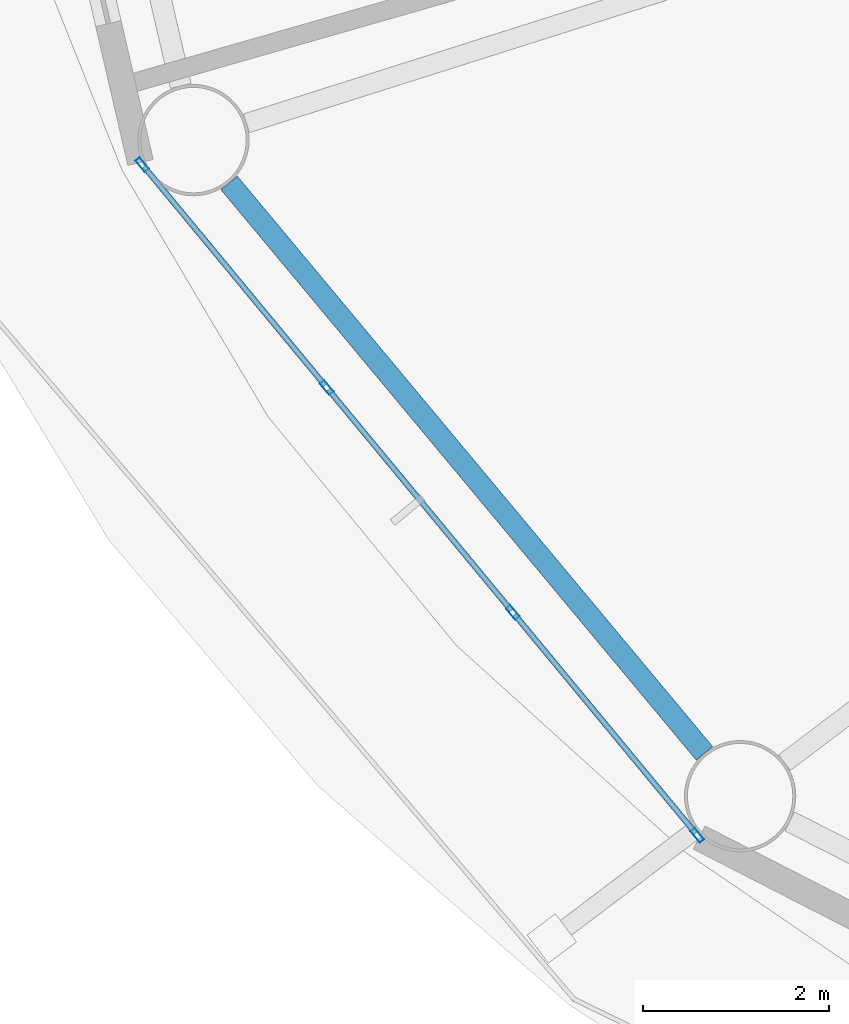
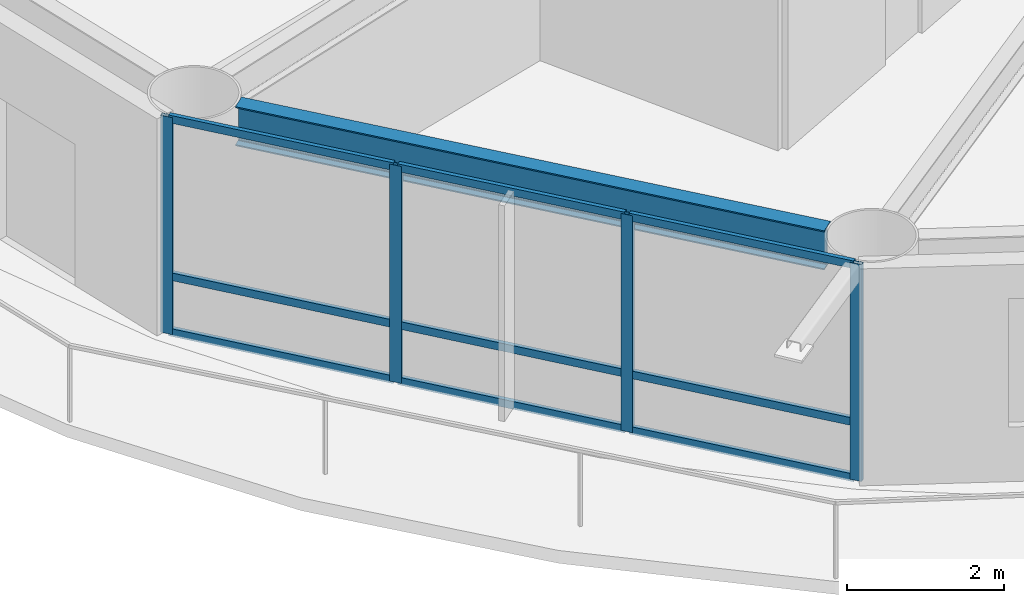
# One storey, part 2 of 24: 13 members, 1 beam, 1 element without a shape of its own.
"""IFC4 building model written with IfcOpenShell, lengths in metres."""

from ifc_helpers import new_model, si_unit, direction, frame, origin, origin_2d, place, context, subcontext, project, spatial, hollow_rectangle, i_section, extrude, material, layer, layer_set, material_profile, profile_set, type_object, element, aggregate, save


model = new_model("IFC4")

# Units and contexts
model_context = context("Model", 3, precision=1e-05, world=origin(), true_north=direction((0.0, 1.0)))
body_context = subcontext(model_context, "Body", "Model", "MODEL_VIEW")
ifc_project = project(units=[si_unit("LENGTHUNIT", "METRE"), si_unit("AREAUNIT", "SQUARE_METRE"), si_unit("VOLUMEUNIT", "CUBIC_METRE"), si_unit("PLANEANGLEUNIT", "RADIAN"), si_unit("MASSUNIT", "GRAM", prefix="KILO")], contexts=[model_context])

# Site, building, storey
site_placement = place(None, origin())
site = spatial("IfcSite", under=ifc_project, at=site_placement, CompositionType="ELEMENT")
building_placement = place(site_placement, origin())
building = spatial("IfcBuilding", under=site, at=building_placement, Name="Sarneth Arch Tower", CompositionType="ELEMENT")
storey_placement = place(building_placement, frame((0.0, 0.0, 94.800048828125)))
storey = spatial("IfcBuildingStorey", under=building, at=storey_placement, Name="L23", CompositionType="ELEMENT", Elevation=94.800048828125)

# Beam
ifc_material_1 = material(Name="Steel S355", Category="steel")
ifc_material_profile_1 = material_profile(ifc_material_1, i_section(OverallWidth=0.22900390625, OverallDepth=0.612060546875, WebThickness=0.011962890625, FlangeThickness=0.01953125, FilletRadius=0.01904296875, at=origin_2d()), Name="W610x125")
ifc_profile_set_1 = profile_set([ifc_material_profile_1], Name="Steel S355")
beam_type = type_object("IfcBeamType", Name="BM-SPAN-610C", PredefinedType="SPANDREL", material=ifc_profile_set_1)
beam_placement = place(storey_placement, frame((22.093017578125, 33.196533203125, 3.073974609375), z_axis=(0.640163403463, -0.768238775946, 0.0), x_axis=(0.768238775946, 0.640163403463, 0.0)))
element("IfcBeam", 1, at=beam_placement, inside=storey, type_object=beam_type, Name="L23 Perimeter spandrel beam 10", PredefinedType="SPANDREL", context=body_context, shape_type="SweptSolid", body=[
    extrude(i_section(OverallWidth=0.22900390625, OverallDepth=0.612060546875, WebThickness=0.011962890625, FlangeThickness=0.01953125, FilletRadius=0.01904296875, at=origin_2d()), origin(), (0.0, 0.0, 1.0), 8.006103515625),
])

# Curtain wall, members
ifc_material_2 = material(Name="Anodised aluminium Type AA25 and solar-control low-e laminated IGU", Category="aluminium")
ifc_layer = layer(ifc_material_2, 0.159912109375)
ifc_layer_set = layer_set([ifc_layer], Name="Anodised aluminium Type AA25 and solar-control low-e laminated IGU")
curtain_wall_type = type_object("IfcCurtainWallType", Name="CW-HOTEL-MID", PredefinedType="NOTDEFINED", material=ifc_layer_set)
curtain_wall_placement = place(storey_placement, origin())
curtain_wall = element("IfcCurtainWall", 2, at=curtain_wall_placement, inside=storey, type_object=curtain_wall_type, Name="L23 Unitised curtain wall facet 10", PredefinedType="NOTDEFINED")
ifc_material_3 = material(Name="Anodised Aluminium 6063-T6", Category="aluminium")
ifc_material_profile_2 = material_profile(ifc_material_3, hollow_rectangle(XDim=0.06005859375, YDim=0.159912109375, WallThickness=0.00390625, at=origin_2d()), Name="AL-MULL-160x60x4")
ifc_profile_set_2 = profile_set([ifc_material_profile_2], Name="Anodised Aluminium 6063-T6")
member_type_1 = type_object("IfcMemberType", Name="CW-MULLION", PredefinedType="MULLION", material=ifc_profile_set_2)
member_1_placement = place(storey_placement, frame((21.15771484375, 33.393310546875, 0.0), z_axis=(0.0, 0.0, 1.0), x_axis=(0.770437787363, 0.637515188684, 0.0)))
member_1 = element("IfcMember", 3, at=member_1_placement, type_object=member_type_1, Name="CW-SYS-4 mullion 1", PredefinedType="MULLION", context=body_context, shape_type="SweptSolid", body=[
    extrude(hollow_rectangle(XDim=0.06005859375, YDim=0.159912109375, WallThickness=0.00390625, at=origin_2d()), origin(), (0.0, 0.0, 1.0), 3.3798828125),
])
member_2_placement = place(storey_placement, frame((23.145751953125, 30.99072265625, 0.0), z_axis=(0.0, 0.0, 1.0), x_axis=(0.770437787363, 0.637515188684, 0.0)))
member_2 = element("IfcMember", 4, at=member_2_placement, type_object=member_type_1, Name="CW-SYS-4 mullion 2", PredefinedType="MULLION", context=body_context, shape_type="SweptSolid", body=[
    extrude(hollow_rectangle(XDim=0.06005859375, YDim=0.159912109375, WallThickness=0.00390625, at=origin_2d()), origin(), (0.0, 0.0, 1.0), 3.3798828125),
])
member_3_placement = place(storey_placement, frame((25.15283203125, 28.565185546875, 0.0), z_axis=(0.0, 0.0, 1.0), x_axis=(0.770437787363, 0.637515188684, 0.0)))
member_3 = element("IfcMember", 5, at=member_3_placement, type_object=member_type_1, Name="CW-SYS-4 mullion 3", PredefinedType="MULLION", context=body_context, shape_type="SweptSolid", body=[
    extrude(hollow_rectangle(XDim=0.06005859375, YDim=0.159912109375, WallThickness=0.00390625, at=origin_2d()), origin(), (0.0, 0.0, 1.0), 3.3798828125),
])
member_4_placement = place(storey_placement, frame((27.140869140625, 26.16259765625, 0.0), z_axis=(0.0, 0.0, 1.0), x_axis=(0.770437787363, 0.637515188684, 0.0)))
member_4 = element("IfcMember", 6, at=member_4_placement, type_object=member_type_1, Name="CW-SYS-4 mullion 4", PredefinedType="MULLION", context=body_context, shape_type="SweptSolid", body=[
    extrude(hollow_rectangle(XDim=0.06005859375, YDim=0.159912109375, WallThickness=0.00390625, at=origin_2d()), origin(), (0.0, 0.0, 1.0), 3.3798828125),
])
ifc_material_4 = material(Name="Anodised Aluminium 6063-T6", Category="aluminium")
ifc_material_profile_3 = material_profile(ifc_material_4, hollow_rectangle(XDim=0.06005859375, YDim=0.1201171875, WallThickness=0.00390625, at=origin_2d()), Name="AL-TRAN-120x60x4")
ifc_profile_set_3 = profile_set([ifc_material_profile_3], Name="Anodised Aluminium 6063-T6")
member_type_2 = type_object("IfcMemberType", Name="CW-TRANSOM", PredefinedType="USERDEFINED", material=ifc_profile_set_3)
member_5_placement = place(storey_placement, frame((21.1767578125, 33.3701171875, 0.030029296875), z_axis=(0.637566080343, -0.770395673142, 0.0), x_axis=(0.770395673142, 0.637566080343, 0.0)))
member_5 = element("IfcMember", 7, at=member_5_placement, type_object=member_type_2, Name="CW-SYS-4 transom 1.1", ObjectType="TRANSOM", PredefinedType="USERDEFINED", context=body_context, shape_type="SweptSolid", body=[
    extrude(hollow_rectangle(XDim=0.06005859375, YDim=0.1201171875, WallThickness=0.00390625, at=origin_2d()), origin(), (0.0, 0.0, 1.0), 3.058349609375),
])
member_6_placement = place(storey_placement, frame((21.1767578125, 33.3701171875, 0.89990234375), z_axis=(0.637566080343, -0.770395673142, 0.0), x_axis=(0.770395673142, 0.637566080343, 0.0)))
member_6 = element("IfcMember", 8, at=member_6_placement, type_object=member_type_2, Name="CW-SYS-4 transom 1.2", ObjectType="TRANSOM", PredefinedType="USERDEFINED", context=body_context, shape_type="SweptSolid", body=[
    extrude(hollow_rectangle(XDim=0.06005859375, YDim=0.1201171875, WallThickness=0.00390625, at=origin_2d()), origin(), (0.0, 0.0, 1.0), 3.058349609375),
])
member_7_placement = place(storey_placement, frame((21.1767578125, 33.3701171875, 3.349853515625), z_axis=(0.637566080343, -0.770395673142, 0.0), x_axis=(0.770395673142, 0.637566080343, 0.0)))
member_7 = element("IfcMember", 9, at=member_7_placement, type_object=member_type_2, Name="CW-SYS-4 transom 1.3", ObjectType="TRANSOM", PredefinedType="USERDEFINED", context=body_context, shape_type="SweptSolid", body=[
    extrude(hollow_rectangle(XDim=0.06005859375, YDim=0.1201171875, WallThickness=0.00390625, at=origin_2d()), origin(), (0.0, 0.0, 1.0), 3.058349609375),
])
member_8_placement = place(storey_placement, frame((23.164794921875, 30.9677734375, 0.030029296875), z_axis=(0.637536975021, -0.770419759275, 0.0), x_axis=(0.770419759275, 0.637536975021, 0.0)))
member_8 = element("IfcMember", 10, at=member_8_placement, type_object=member_type_2, Name="CW-SYS-4 transom 2.1", ObjectType="TRANSOM", PredefinedType="USERDEFINED", context=body_context, shape_type="SweptSolid", body=[
    extrude(hollow_rectangle(XDim=0.06005859375, YDim=0.1201171875, WallThickness=0.00390625, at=origin_2d()), origin(), (0.0, 0.0, 1.0), 3.08837890625),
])
member_9_placement = place(storey_placement, frame((23.164794921875, 30.9677734375, 0.89990234375), z_axis=(0.637536975021, -0.770419759275, 0.0), x_axis=(0.770419759275, 0.637536975021, 0.0)))
member_9 = element("IfcMember", 11, at=member_9_placement, type_object=member_type_2, Name="CW-SYS-4 transom 2.2", ObjectType="TRANSOM", PredefinedType="USERDEFINED", context=body_context, shape_type="SweptSolid", body=[
    extrude(hollow_rectangle(XDim=0.06005859375, YDim=0.1201171875, WallThickness=0.00390625, at=origin_2d()), origin(), (0.0, 0.0, 1.0), 3.08837890625),
])
member_10_placement = place(storey_placement, frame((23.164794921875, 30.9677734375, 3.349853515625), z_axis=(0.637536975021, -0.770419759275, 0.0), x_axis=(0.770419759275, 0.637536975021, 0.0)))
member_10 = element("IfcMember", 12, at=member_10_placement, type_object=member_type_2, Name="CW-SYS-4 transom 2.3", ObjectType="TRANSOM", PredefinedType="USERDEFINED", context=body_context, shape_type="SweptSolid", body=[
    extrude(hollow_rectangle(XDim=0.06005859375, YDim=0.1201171875, WallThickness=0.00390625, at=origin_2d()), origin(), (0.0, 0.0, 1.0), 3.08837890625),
])
member_11_placement = place(storey_placement, frame((25.171875, 28.5419921875, 0.030029296875), z_axis=(0.637566080343, -0.770395673142, 0.0), x_axis=(0.770395673142, 0.637566080343, 0.0)))
member_11 = element("IfcMember", 13, at=member_11_placement, type_object=member_type_2, Name="CW-SYS-4 transom 3.1", ObjectType="TRANSOM", PredefinedType="USERDEFINED", context=body_context, shape_type="SweptSolid", body=[
    extrude(hollow_rectangle(XDim=0.06005859375, YDim=0.1201171875, WallThickness=0.00390625, at=origin_2d()), origin(), (0.0, 0.0, 1.0), 3.058349609375),
])
member_12_placement = place(storey_placement, frame((25.171875, 28.5419921875, 0.89990234375), z_axis=(0.637566080343, -0.770395673142, 0.0), x_axis=(0.770395673142, 0.637566080343, 0.0)))
member_12 = element("IfcMember", 14, at=member_12_placement, type_object=member_type_2, Name="CW-SYS-4 transom 3.2", ObjectType="TRANSOM", PredefinedType="USERDEFINED", context=body_context, shape_type="SweptSolid", body=[
    extrude(hollow_rectangle(XDim=0.06005859375, YDim=0.1201171875, WallThickness=0.00390625, at=origin_2d()), origin(), (0.0, 0.0, 1.0), 3.058349609375),
])
member_13_placement = place(storey_placement, frame((25.171875, 28.5419921875, 3.349853515625), z_axis=(0.637566080343, -0.770395673142, 0.0), x_axis=(0.770395673142, 0.637566080343, 0.0)))
member_13 = element("IfcMember", 15, at=member_13_placement, type_object=member_type_2, Name="CW-SYS-4 transom 3.3", ObjectType="TRANSOM", PredefinedType="USERDEFINED", context=body_context, shape_type="SweptSolid", body=[
    extrude(hollow_rectangle(XDim=0.06005859375, YDim=0.1201171875, WallThickness=0.00390625, at=origin_2d()), origin(), (0.0, 0.0, 1.0), 3.058349609375),
])
aggregate(curtain_wall, [member_1, member_2, member_3, member_4, member_5, member_6, member_7, member_8, member_9, member_10, member_11, member_12, member_13])

save(model, "model.ifc")
